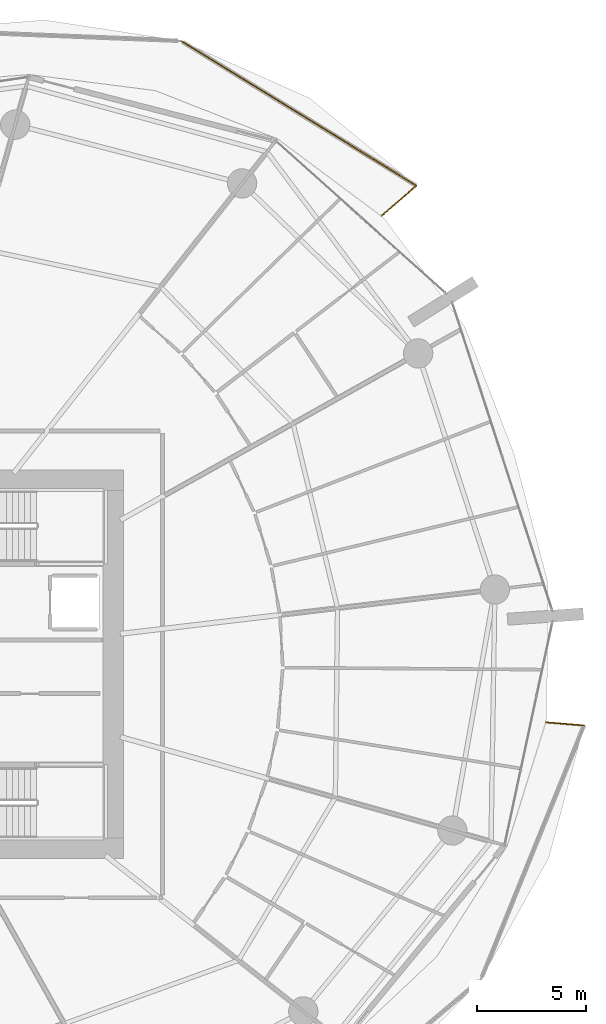
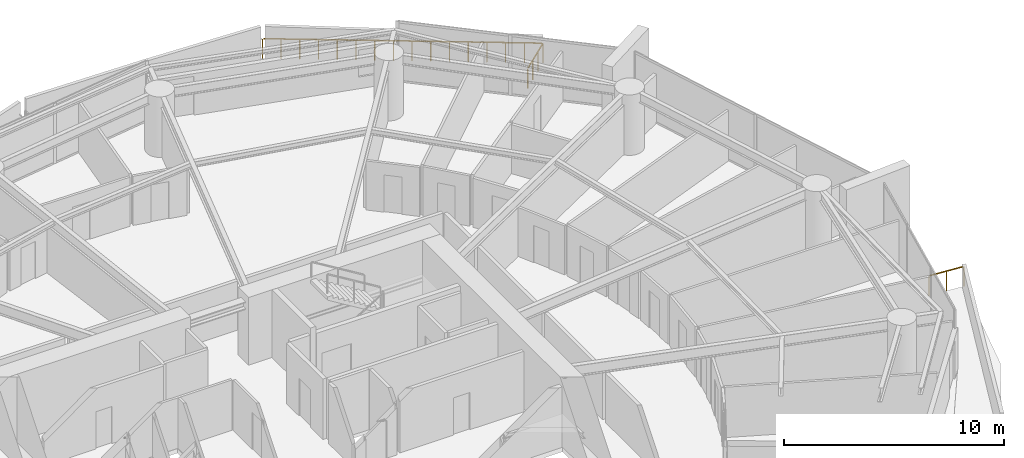
# One storey, part 31 of 31: 3 railings.
"""IFC4 building model written with IfcOpenShell, lengths in metres."""

from ifc_helpers import new_model, si_unit, direction, frame, origin, origin_2d, place, context, subcontext, project, spatial, rectangle, extrude, material, type_object, element, save


model = new_model("IFC4")

# Units and contexts
model_context = context("Model", 3, precision=1e-05, world=origin(), true_north=direction((0.0, 1.0)))
body_context = subcontext(model_context, "Body", "Model", "MODEL_VIEW")
ifc_project = project(units=[si_unit("LENGTHUNIT", "METRE"), si_unit("AREAUNIT", "SQUARE_METRE"), si_unit("VOLUMEUNIT", "CUBIC_METRE"), si_unit("PLANEANGLEUNIT", "RADIAN"), si_unit("MASSUNIT", "GRAM", prefix="KILO")], contexts=[model_context])

# Site, building, storey
site_placement = place(None, origin())
site = spatial("IfcSite", under=ifc_project, at=site_placement, CompositionType="ELEMENT")
building_placement = place(site_placement, origin())
building = spatial("IfcBuilding", under=site, at=building_placement, Name="Kazma Halo Residences", CompositionType="ELEMENT")
storey_placement = place(building_placement, frame((0.0, 0.0, 67.64990234375)))
storey = spatial("IfcBuildingStorey", under=building, at=storey_placement, Name="L16", CompositionType="ELEMENT", Elevation=67.64990234375)

# Railings
ifc_material = material(Name="Aluminium AW-6063 T6 Brushed Cap Rail", Category="aluminium")
railing_type = type_object("IfcRailingType", Name="RLG-BAL-CAP-1120", PredefinedType="BALUSTRADE", material=ifc_material)
railing_1_placement = place(storey_placement, frame((71.875732421875, 62.645263671875, 0.0)))
element("IfcRailing", 1, at=railing_1_placement, inside=storey, type_object=railing_type, Name="L16 NE wave balcony guard 1", PredefinedType="BALUSTRADE", context=body_context, shape_type="SweptSolid", body=[
    extrude(rectangle(XDim=0.050048828125, YDim=0.050048828125, at=origin_2d()), frame((0.0322265625, 0.02783203125, 1.09521484375), z_axis=(0.756402999424, 0.654105880162, 0.0), x_axis=(-0.654105880162, 0.756402999424, 0.0)), (0.0, 0.0, 1.0), 2.046142578125),
    extrude(rectangle(XDim=0.0400390625, YDim=0.0400390625, at=origin_2d()), origin(), (0.0, 0.0, 1.0), 1.05810546875),
    extrude(rectangle(XDim=0.0400390625, YDim=0.0400390625, at=origin_2d()), frame((0.537353515625, 0.464599609375, 0.0)), (0.0, 0.0, 1.0), 1.05810546875),
    extrude(rectangle(XDim=0.0400390625, YDim=0.0400390625, at=origin_2d()), frame((1.07470703125, 0.929443359375, 0.0)), (0.0, 0.0, 1.0), 1.05810546875),
    extrude(rectangle(XDim=0.0400390625, YDim=0.0400390625, at=origin_2d()), frame((1.612060546875, 1.39404296875, 0.0)), (0.0, 0.0, 1.0), 1.05810546875),
])
railing_2_placement = place(storey_placement, frame((73.48779296875, 64.039306640625, 0.0)))
element("IfcRailing", 2, at=railing_2_placement, inside=storey, type_object=railing_type, Name="L16 NE wave balcony guard 2", PredefinedType="BALUSTRADE", context=body_context, shape_type="SweptSolid", body=[
    extrude(rectangle(XDim=0.050048828125, YDim=0.050048828125, at=origin_2d()), frame((-0.0361328125, 0.022216796875, 1.09521484375), z_axis=(-0.851730655586, 0.523979856803, 0.0), x_axis=(-0.523979856803, -0.851730655586, 0.0)), (0.0, 0.0, 1.0), 12.66015625),
    extrude(rectangle(XDim=0.0400390625, YDim=0.0400390625, at=origin_2d()), origin(), (0.0, 0.0, 1.0), 1.05810546875),
    extrude(rectangle(XDim=0.0400390625, YDim=0.0400390625, at=origin_2d()), frame((-0.7236328125, 0.4453125, 0.0)), (0.0, 0.0, 1.0), 1.05810546875),
    extrude(rectangle(XDim=0.0400390625, YDim=0.0400390625, at=origin_2d()), frame((-1.447509765625, 0.890380859375, 0.0)), (0.0, 0.0, 1.0), 1.05810546875),
    extrude(rectangle(XDim=0.0400390625, YDim=0.0400390625, at=origin_2d()), frame((-2.171142578125, 1.335693359375, 0.0)), (0.0, 0.0, 1.0), 1.05810546875),
    extrude(rectangle(XDim=0.0400390625, YDim=0.0400390625, at=origin_2d()), frame((-2.894775390625, 1.78076171875, 0.0)), (0.0, 0.0, 1.0), 1.05810546875),
    extrude(rectangle(XDim=0.0400390625, YDim=0.0400390625, at=origin_2d()), frame((-3.618408203125, 2.22607421875, 0.0)), (0.0, 0.0, 1.0), 1.05810546875),
    extrude(rectangle(XDim=0.0400390625, YDim=0.0400390625, at=origin_2d()), frame((-4.34228515625, 2.67138671875, 0.0)), (0.0, 0.0, 1.0), 1.05810546875),
    extrude(rectangle(XDim=0.0400390625, YDim=0.0400390625, at=origin_2d()), frame((-5.06591796875, 3.116455078125, 0.0)), (0.0, 0.0, 1.0), 1.05810546875),
    extrude(rectangle(XDim=0.0400390625, YDim=0.0400390625, at=origin_2d()), frame((-5.78955078125, 3.561767578125, 0.0)), (0.0, 0.0, 1.0), 1.05810546875),
    extrude(rectangle(XDim=0.0400390625, YDim=0.0400390625, at=origin_2d()), frame((-6.51318359375, 4.0068359375, 0.0)), (0.0, 0.0, 1.0), 1.05810546875),
    extrude(rectangle(XDim=0.0400390625, YDim=0.0400390625, at=origin_2d()), frame((-7.237060546875, 4.4521484375, 0.0)), (0.0, 0.0, 1.0), 1.05810546875),
    extrude(rectangle(XDim=0.0400390625, YDim=0.0400390625, at=origin_2d()), frame((-7.960693359375, 4.8974609375, 0.0)), (0.0, 0.0, 1.0), 1.05810546875),
    extrude(rectangle(XDim=0.0400390625, YDim=0.0400390625, at=origin_2d()), frame((-8.684326171875, 5.342529296875, 0.0)), (0.0, 0.0, 1.0), 1.05810546875),
    extrude(rectangle(XDim=0.0400390625, YDim=0.0400390625, at=origin_2d()), frame((-9.407958984375, 5.787841796875, 0.0)), (0.0, 0.0, 1.0), 1.05810546875),
    extrude(rectangle(XDim=0.0400390625, YDim=0.0400390625, at=origin_2d()), frame((-10.1318359375, 6.23291015625, 0.0)), (0.0, 0.0, 1.0), 1.05810546875),
    extrude(rectangle(XDim=0.0400390625, YDim=0.0400390625, at=origin_2d()), frame((-10.85546875, 6.67822265625, 0.0)), (0.0, 0.0, 1.0), 1.05810546875),
])
railing_3_placement = place(storey_placement, frame((81.205322265625, 39.1826171875, 0.0)))
element("IfcRailing", 3, at=railing_3_placement, inside=storey, type_object=railing_type, Name="L16 SE wave balcony guard 4", PredefinedType="BALUSTRADE", context=body_context, shape_type="SweptSolid", body=[
    extrude(rectangle(XDim=0.050048828125, YDim=0.050048828125, at=origin_2d()), frame((-0.04248046875, 0.003662109375, 1.09521484375), z_axis=(-0.996429095745, 0.084433744164, 0.0), x_axis=(-0.084433744164, -0.996429095745, 0.0)), (0.0, 0.0, 1.0), 1.67578125),
    extrude(rectangle(XDim=0.0400390625, YDim=0.0400390625, at=origin_2d()), origin(), (0.0, 0.0, 1.0), 1.05810546875),
    extrude(rectangle(XDim=0.0400390625, YDim=0.0400390625, at=origin_2d()), frame((-0.87744140625, 0.07421875, 0.0)), (0.0, 0.0, 1.0), 1.05810546875),
    extrude(rectangle(XDim=0.0400390625, YDim=0.0400390625, at=origin_2d()), frame((-1.754638671875, 0.148681640625, 0.0)), (0.0, 0.0, 1.0), 1.05810546875),
])

save(model, "model.ifc")
